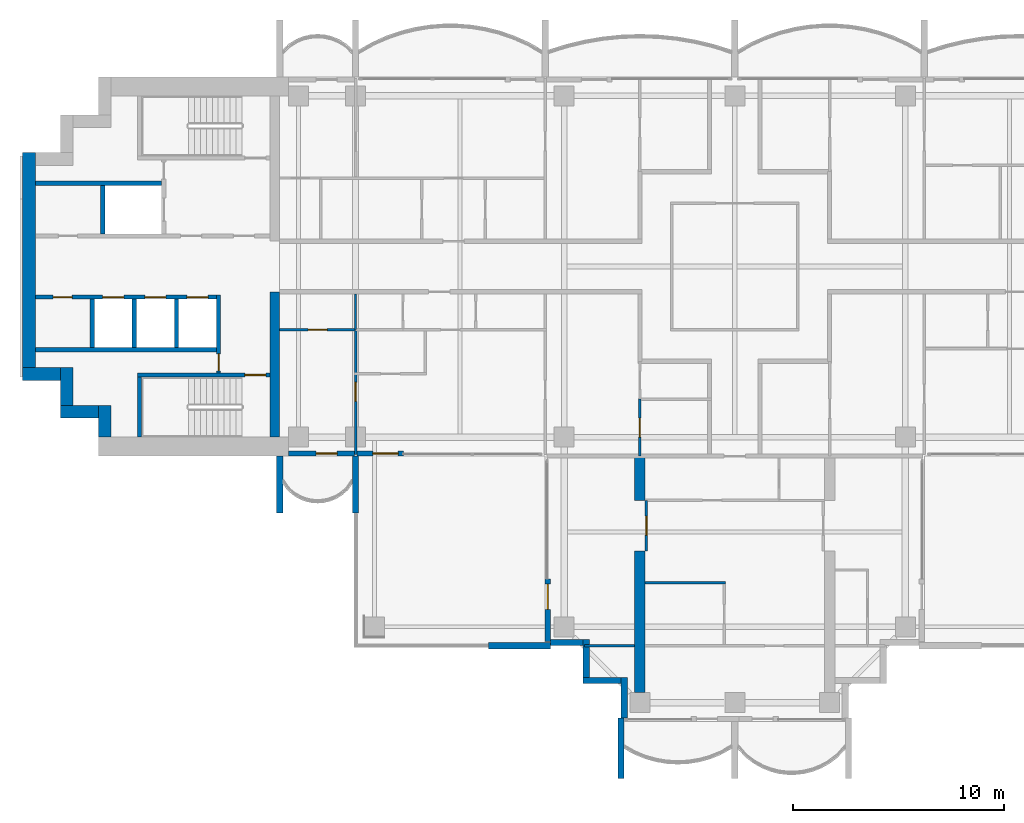
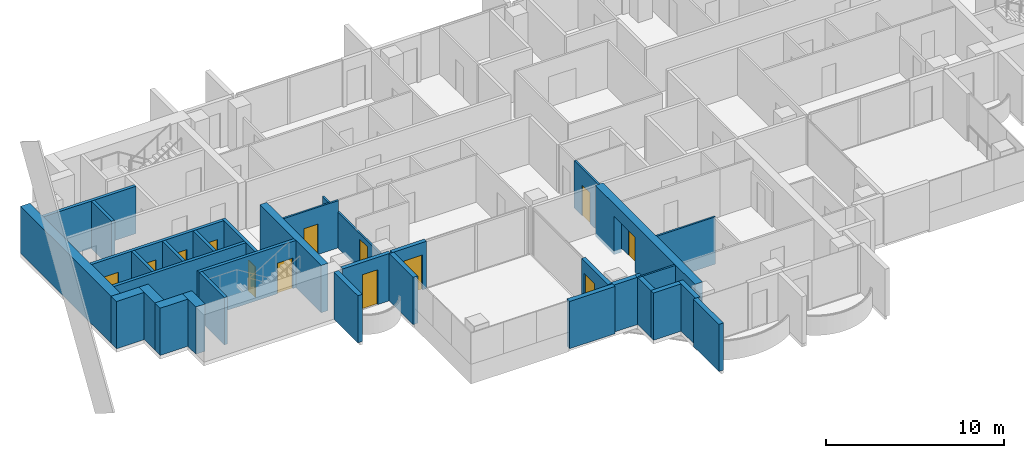
# One storey, part 8 of 17: 35 walls, 13 doors, 13 openings.
"""IFC4 building model written with IfcOpenShell, lengths in metres."""

from ifc_helpers import new_model, si_unit, direction, frame, frame_2d, origin, place, context, subcontext, project, spatial, polyline, rectangle, outline, extrude, material, layer, layer_set, material_profile, profile_set, type_object, element, fill, save


model = new_model("IFC4")

# Units and contexts
model_context = context("Model", 3, precision=1e-05, world=origin(), true_north=direction((0.0, 1.0)))
body_context = subcontext(model_context, "Body", "Model", "MODEL_VIEW")
ifc_project = project(units=[si_unit("LENGTHUNIT", "METRE"), si_unit("AREAUNIT", "SQUARE_METRE"), si_unit("VOLUMEUNIT", "CUBIC_METRE"), si_unit("PLANEANGLEUNIT", "RADIAN"), si_unit("MASSUNIT", "GRAM", prefix="KILO")], contexts=[model_context])

# Site, building, storey
site_placement = place(None, origin())
site = spatial("IfcSite", under=ifc_project, at=site_placement, CompositionType="ELEMENT")
building_placement = place(site_placement, origin())
building = spatial("IfcBuilding", under=site, at=building_placement, Name="Perihelion Cross Residences", CompositionType="ELEMENT")
storey_placement = place(building_placement, frame((0.0, 0.0, 205.10009765625)))
storey = spatial("IfcBuildingStorey", under=building, at=storey_placement, Name="L51", CompositionType="ELEMENT", Elevation=205.10009765625)

# Wall, opening, door
ifc_material_1 = material(Name="Concrete C30/37, bronze-clad", Category="concrete")
ifc_layer_1 = layer(ifc_material_1, 0.25)
ifc_layer_set_1 = layer_set([ifc_layer_1], Name="Bronze-clad pier wall 250")
wall_type_1 = type_object("IfcWallType", Name="Bronze-clad pier wall 250", PredefinedType="SOLIDWALL", material=ifc_layer_set_1)
wall_1_placement = place(storey_placement, frame((-21.175048828125, -8.875, 0.0), z_axis=(0.0, 0.0, 1.0), x_axis=(1.0, 0.0, 0.0)))
wall_1 = element("IfcWall", 1, at=wall_1_placement, inside=storey, type_object=wall_type_1, Name="Wall FW1 L51 west side south bay 1 pier", PredefinedType="SOLIDWALL", context=body_context, shape_type="SweptSolid", body=[
    extrude(rectangle(XDim=3.114990234375, YDim=0.25, at=frame_2d((1.5576171875, 0.0))), origin(), (0.0, 0.0, 1.0), 3.25),
])
opening_1_placement = place(wall_1_placement, frame((1.300048828125, 0.0, 0.0)))
opening_1 = element("IfcOpeningElement", 2, at=opening_1_placement, cuts=wall_1, Name="Opening L51.E07", PredefinedType="OPENING", context=body_context, shape_type="SweptSolid", body=[
    extrude(rectangle(XDim=1.0, YDim=2.39990234375, at=frame_2d((0.5, 1.199951171875))), frame((0.0, 0.135009765625, 0.0), z_axis=(0.0, -1.0, 0.0), x_axis=(1.0, 0.0, 0.0)), (0.0, 0.0, 1.0), 0.27001953125),
])
ifc_material_2 = material(Name="Bronze anodised aluminium, glazed", Category="aluminium")
door_type_1 = type_object("IfcDoorType", Name="Balcony door 1000 x 2400", OperationType="NOTDEFINED", PredefinedType="DOOR", material=ifc_material_2)
door_1_placement = place(opening_1_placement, origin())
door_1 = element("IfcDoor", 3, at=door_1_placement, inside=storey, type_object=door_type_1, Name="Door L51.E07 west side south bay 1", OperationType="SINGLE_SWING_LEFT", OverallHeight=2.39990234375, OverallWidth=1.0, PredefinedType="DOOR", context=body_context, shape_type="SweptSolid", body=[
    extrude(rectangle(XDim=1.0, YDim=2.39990234375, at=frame_2d((0.5, 1.199951171875))), frame((0.0, 0.02490234375, 0.0), z_axis=(0.0, -1.0, 0.0), x_axis=(1.0, 0.0, 0.0)), (0.0, 0.0, 1.0), 0.050048828125),
])
fill(opening_1, door_1)

wall_2_placement = place(storey_placement, frame((-17.93994140625, -8.875, 0.0), z_axis=(0.0, 0.0, 1.0), x_axis=(1.0, 0.0, 0.0)))
wall_2 = element("IfcWall", 4, at=wall_2_placement, inside=storey, type_object=wall_type_1, Name="Wall FW1 L51 west side south bay 2 pier", PredefinedType="SOLIDWALL", context=body_context, shape_type="SweptSolid", body=[
    extrude(rectangle(XDim=2.21484375, YDim=0.25, at=frame_2d((1.107421875, 0.0))), origin(), (0.0, 0.0, 1.0), 3.25),
])
opening_2_placement = place(wall_2_placement, frame((0.764892578125, 0.0, 0.0)))
opening_2 = element("IfcOpeningElement", 5, at=opening_2_placement, cuts=wall_2, Name="Opening L51.E08", PredefinedType="OPENING", context=body_context, shape_type="SweptSolid", body=[
    extrude(rectangle(XDim=1.199951171875, YDim=2.39990234375, at=frame_2d((0.60009765625, 1.199951171875))), frame((0.0, 0.135009765625, 0.0), z_axis=(0.0, -1.0, 0.0), x_axis=(1.0, 0.0, 0.0)), (0.0, 0.0, 1.0), 0.27001953125),
])
ifc_material_3 = material(Name="Bronze anodised aluminium, glazed", Category="aluminium")
door_type_2 = type_object("IfcDoorType", Name="Balcony door 1200 x 2400", OperationType="NOTDEFINED", PredefinedType="DOOR", material=ifc_material_3)
door_2_placement = place(opening_2_placement, origin())
door_2 = element("IfcDoor", 6, at=door_2_placement, inside=storey, type_object=door_type_2, Name="Door L51.E08 west side south bay 2", OperationType="SINGLE_SWING_RIGHT", OverallHeight=2.39990234375, OverallWidth=1.199951171875, PredefinedType="DOOR", context=body_context, shape_type="SweptSolid", body=[
    extrude(rectangle(XDim=1.199951171875, YDim=2.39990234375, at=frame_2d((0.60009765625, 1.199951171875))), frame((0.0, 0.02490234375, 0.0), z_axis=(0.0, -1.0, 0.0), x_axis=(1.0, 0.0, 0.0)), (0.0, 0.0, 1.0), 0.050048828125),
])
fill(opening_2, door_2)

wall_3_placement = place(storey_placement, frame((-8.875, -14.824951171875, 0.0), z_axis=(0.0, 0.0, 1.0), x_axis=(0.0, -1.0, 0.0)))
wall_3 = element("IfcWall", 7, at=wall_3_placement, inside=storey, type_object=wall_type_1, Name="Wall FW1 L51 south side west bay 1 pier", PredefinedType="SOLIDWALL", context=body_context, shape_type="SweptSolid", body=[
    extrude(rectangle(XDim=2.97509765625, YDim=0.25, at=frame_2d((1.487548828125, 0.0))), origin(), (0.0, 0.0, 1.0), 3.25),
])
opening_3_placement = place(wall_3_placement, frame((0.25, 0.0, 0.0)))
opening_3 = element("IfcOpeningElement", 8, at=opening_3_placement, cuts=wall_3, Name="Opening L51.E09", PredefinedType="OPENING", context=body_context, shape_type="SweptSolid", body=[
    extrude(rectangle(XDim=1.199951171875, YDim=2.39990234375, at=frame_2d((0.60009765625, 1.199951171875))), frame((0.0, 0.135009765625, 0.0), z_axis=(0.0, -1.0, 0.0), x_axis=(1.0, 0.0, 0.0)), (0.0, 0.0, 1.0), 0.27001953125),
])
door_3_placement = place(opening_3_placement, origin())
door_3 = element("IfcDoor", 9, at=door_3_placement, inside=storey, type_object=door_type_2, Name="Door L51.E09 south side west bay 1", OperationType="SINGLE_SWING_LEFT", OverallHeight=2.39990234375, OverallWidth=1.199951171875, PredefinedType="DOOR", context=body_context, shape_type="SweptSolid", body=[
    extrude(rectangle(XDim=1.199951171875, YDim=2.39990234375, at=frame_2d((0.60009765625, 1.199951171875))), frame((0.0, 0.02490234375, 0.0), z_axis=(0.0, -1.0, 0.0), x_axis=(1.0, 0.0, 0.0)), (0.0, 0.0, 1.0), 0.050048828125),
])
fill(opening_3, door_3)

# Walls
ifc_material_4 = material(Name="Concrete C30/37, bronze-clad", Category="concrete")
ifc_layer_2 = layer(ifc_material_4, 0.300048828125)
ifc_layer_set_2 = layer_set([ifc_layer_2], Name="Bronze-clad serration wall 300")
wall_type_2 = type_object("IfcWallType", Name="Bronze-clad serration wall 300", PredefinedType="SOLIDWALL", material=ifc_layer_set_2)
wall_4_placement = place(storey_placement, frame((-8.75, -17.85009765625, 0.0), z_axis=(0.0, 0.0, 1.0), x_axis=(1.0, 0.0, 0.0)))
element("IfcWall", 10, at=wall_4_placement, inside=storey, type_object=wall_type_2, Name="Wall SR1 L51 south corner south-west 1", PredefinedType="SOLIDWALL", context=body_context, shape_type="SweptSolid", body=[
    extrude(rectangle(XDim=1.550048828125, YDim=0.300048828125, at=frame_2d((0.77490234375, 0.0))), origin(), (0.0, 0.0, 1.0), 3.25),
])
for number, where, z_axis, x_axis, name in (
    (11, (-7.050048828125, -17.699951171875, 0.0), (0.0, 0.0, 1.0), (0.0, -1.0, 0.0), "Wall SR1 L51 south corner south-west 2"),
    (12, (-7.199951171875, -19.64990234375, 0.0), (0.0, 0.0, 1.0), (1.0, 0.0, 0.0), "Wall SR1 L51 south corner south-west 3"),
):
    element("IfcWall", number, at=place(storey_placement, frame(where, z_axis=z_axis, x_axis=x_axis)), inside=storey, type_object=wall_type_2, Name=name, PredefinedType="SOLIDWALL", context=body_context, shape_type="SweptSolid", body=[
        extrude(rectangle(XDim=1.800048828125, YDim=0.300048828125, at=frame_2d((0.89990234375, 0.0))), origin(), (0.0, 0.0, 1.0), 3.25),
    ])
wall_5_placement = place(storey_placement, frame((-5.25, -19.5, 0.0), z_axis=(0.0, 0.0, 1.0), x_axis=(0.0, -1.0, 0.0)))
element("IfcWall", 13, at=wall_5_placement, inside=storey, type_object=wall_type_2, Name="Wall SR1 L51 south corner south-west 4", PredefinedType="SOLIDWALL", context=body_context, shape_type="SweptSolid", body=[
    extrude(rectangle(XDim=1.919921875, YDim=0.300048828125, at=frame_2d((0.9599609375, 0.0))), origin(), (0.0, 0.0, 1.0), 3.25),
])
ifc_material_5 = material(Name="Concrete C60/75", Category="concrete")
ifc_layer_3 = layer(ifc_material_5, 0.449951171875)
ifc_layer_set_3 = layer_set([ifc_layer_3], Name="Core wall, inner 450")
wall_type_3 = type_object("IfcWallType", Name="Core wall, inner 450", PredefinedType="SHEAR", material=ifc_layer_set_3)
wall_6_placement = place(storey_placement, frame((-21.824951171875, -8.10009765625, 0.0), z_axis=(0.0, 0.0, 1.0), x_axis=(0.0, 1.0, 0.0)))
element("IfcWall", 14, at=wall_6_placement, inside=storey, type_object=wall_type_3, Name="West core core wall, inner", PredefinedType="SHEAR", context=body_context, shape_type="SweptSolid", body=[
    extrude(rectangle(XDim=6.900146484375, YDim=0.449951171875, at=frame_2d((3.4501953125, 0.0))), origin(), (0.0, 0.0, 1.0), 3.25),
])
ifc_material_6 = material(Name="Concrete C60/75", Category="concrete")
ifc_layer_4 = layer(ifc_material_6, 0.60009765625)
ifc_layer_set_4 = layer_set([ifc_layer_4], Name="Core wall, outer 600")
wall_type_4 = type_object("IfcWallType", Name="Core wall, outer 600", PredefinedType="SHEAR", material=ifc_layer_set_4)
wall_7_placement = place(storey_placement, frame((-29.89990234375, -8.10009765625, 0.0), z_axis=(0.0, 0.0, 1.0), x_axis=(0.0, 1.0, 0.0)))
element("IfcWall", 15, at=wall_7_placement, inside=storey, type_object=wall_type_4, Name="West core core wall, outer", PredefinedType="SHEAR", context=body_context, shape_type="SweptSolid", body=[
    extrude(rectangle(XDim=1.5, YDim=0.60009765625, at=frame_2d((0.75, 0.0))), origin(), (0.0, 0.0, 1.0), 3.25),
])
for number, where, z_axis, x_axis, name in (
    (16, (-32.0, -6.89990234375, 0.0), (0.0, 0.0, 1.0), (1.0, 0.0, 0.0), "West core core wall, outer"),
    (17, (-31.699951171875, -6.60009765625, 0.0), (0.0, 0.0, 1.0), (0.0, 1.0, 0.0), "West core core wall, outer"),
    (18, (-33.800048828125, -5.10009765625, 0.0), (0.0, 0.0, 1.0), (1.0, 0.0, 0.0), "West core core wall, outer"),
):
    element("IfcWall", number, at=place(storey_placement, frame(where, z_axis=z_axis, x_axis=x_axis)), inside=storey, type_object=wall_type_4, Name=name, PredefinedType="SHEAR", context=body_context, shape_type="SweptSolid", body=[
        extrude(rectangle(XDim=1.800048828125, YDim=0.60009765625, at=frame_2d((0.89990234375, 0.0))), origin(), (0.0, 0.0, 1.0), 3.25),
    ])
wall_8_placement = place(storey_placement, frame((-33.5, -4.800048828125, 0.0), z_axis=(0.0, 0.0, 1.0), x_axis=(0.0, 1.0, 0.0)))
element("IfcWall", 19, at=wall_8_placement, inside=storey, type_object=wall_type_4, Name="West core core wall, outer", PredefinedType="SHEAR", context=body_context, shape_type="SweptSolid", body=[
    extrude(rectangle(XDim=10.199951171875, YDim=0.60009765625, at=frame_2d((5.10009765625, 0.0))), origin(), (0.0, 0.0, 1.0), 3.25),
])

# Wall, opening, door
ifc_material_7 = material(Name="Plasterboard partition")
ifc_layer_5 = layer(ifc_material_7, 0.1201171875)
ifc_layer_set_5 = layer_set([ifc_layer_5], Name="Infill panel 120")
wall_type_5 = type_object("IfcWallType", Name="Infill panel 120", PredefinedType="PARTITIONING", material=ifc_layer_set_5)
wall_9_placement = place(storey_placement, frame((-4.18994140625, -11.10009765625, 0.0), z_axis=(0.0, 0.0, 1.0), x_axis=(0.0, -1.0, 0.0)))
wall_9 = element("IfcWall", 20, at=wall_9_placement, inside=storey, type_object=wall_type_5, Name="Partition L51 WI02", PredefinedType="PARTITIONING", context=body_context, shape_type="SweptSolid", body=[
    extrude(rectangle(XDim=2.39990234375, YDim=0.1201171875, at=frame_2d((1.199951171875, 0.0))), origin(), (0.0, 0.0, 1.0), 2.39990234375),
])
opening_4_placement = place(wall_9_placement, frame((0.75, 0.0, 0.0)))
opening_4 = element("IfcOpeningElement", 21, at=opening_4_placement, cuts=wall_9, Name="Opening L51.A43", PredefinedType="OPENING", context=body_context, shape_type="SweptSolid", body=[
    extrude(rectangle(XDim=0.89990234375, YDim=2.10009765625, at=frame_2d((0.449951171875, 1.050048828125))), frame((0.0, 0.070068359375, 0.0), z_axis=(0.0, -1.0, 0.0), x_axis=(1.0, 0.0, 0.0)), (0.0, 0.0, 1.0), 0.14013671875),
])
ifc_material_8 = material(Name="Timber door leaf", Category="wood")
door_type_3 = type_object("IfcDoorType", Name="Interior room door 900 x 2100", OperationType="SINGLE_SWING_LEFT", PredefinedType="DOOR", material=ifc_material_8)
door_4_placement = place(opening_4_placement, origin())
door_4 = element("IfcDoor", 22, at=door_4_placement, inside=storey, type_object=door_type_3, Name="Door L51.A43", OperationType="SINGLE_SWING_LEFT", OverallHeight=2.10009765625, OverallWidth=0.89990234375, PredefinedType="DOOR", context=body_context, shape_type="SweptSolid", body=[
    extrude(rectangle(XDim=0.89990234375, YDim=2.10009765625, at=frame_2d((0.449951171875, 1.050048828125))), frame((0.0, 0.02490234375, 0.0), z_axis=(0.0, -1.0, 0.0), x_axis=(1.0, 0.0, 0.0)), (0.0, 0.0, 1.0), 0.050048828125),
])
fill(opening_4, door_4)

ifc_material_9 = material(Name="Concrete C50/60", Category="concrete")
ifc_layer_6 = layer(ifc_material_9, 0.199951171875)
ifc_layer_set_6 = layer_set([ifc_layer_6], Name="Lobby wall 200")
wall_type_6 = type_object("IfcWallType", Name="Lobby wall 200", PredefinedType="SOLIDWALL", material=ifc_layer_set_6)
wall_10_placement = place(storey_placement, frame((-24.5, -5.050048828125, 0.0), z_axis=(0.0, 0.0, 1.0), x_axis=(0.0, 1.0, 0.0)))
wall_10 = element("IfcWall", 23, at=wall_10_placement, inside=storey, type_object=wall_type_6, Name="West core lobby wall", PredefinedType="SOLIDWALL", context=body_context, shape_type="SweptSolid", body=[
    extrude(rectangle(XDim=3.699951171875, YDim=0.199951171875, at=frame_2d((1.85009765625, 0.0))), origin(), (0.0, 0.0, 1.0), 3.25),
])
opening_5_placement = place(wall_10_placement, frame((0.10009765625, 0.0, 0.0)))
opening_5 = element("IfcOpeningElement", 24, at=opening_5_placement, cuts=wall_10, Name="Opening L51.C20", PredefinedType="OPENING", context=body_context, shape_type="SweptSolid", body=[
    extrude(rectangle(XDim=0.800048828125, YDim=2.10009765625, at=frame_2d((0.39990234375, 1.050048828125))), frame((0.0, 0.10986328125, 0.0), z_axis=(0.0, -1.0, 0.0), x_axis=(1.0, 0.0, 0.0)), (0.0, 0.0, 1.0), 0.219970703125),
])
ifc_material_10 = material(Name="Steel, powder coated", Category="steel")
door_type_4 = type_object("IfcDoorType", Name="Riser door 800", OperationType="SINGLE_SWING_LEFT", PredefinedType="DOOR", material=ifc_material_10)
door_5_placement = place(opening_5_placement, origin())
door_5 = element("IfcDoor", 25, at=door_5_placement, inside=storey, type_object=door_type_4, Name="West core riser door", OperationType="SINGLE_SWING_LEFT", OverallHeight=2.10009765625, OverallWidth=0.800048828125, PredefinedType="DOOR", context=body_context, shape_type="SweptSolid", body=[
    extrude(rectangle(XDim=0.800048828125, YDim=2.10009765625, at=frame_2d((0.39990234375, 1.050048828125))), frame((0.0, 0.02490234375, 0.0), z_axis=(0.0, -1.0, 0.0), x_axis=(1.0, 0.0, 0.0)), (0.0, 0.0, 1.0), 0.050048828125),
])
fill(opening_5, door_5)

ifc_material_11 = material(Name="Plasterboard partition")
ifc_layer_7 = layer(ifc_material_11, 0.1201171875)
ifc_layer_set_7 = layer_set([ifc_layer_7], Name="Partition wall 120")
wall_type_7 = type_object("IfcWallType", Name="Partition wall 120", PredefinedType="PARTITIONING", material=ifc_layer_set_7)
wall_11_placement = place(storey_placement, frame((-18.0, -3.0, 0.0), z_axis=(0.0, 0.0, 1.0), x_axis=(-1.0, 0.0, 0.0)))
wall_11 = element("IfcWall", 26, at=wall_11_placement, inside=storey, type_object=wall_type_7, Name="Partition L51 W052", PredefinedType="PARTITIONING", context=body_context, shape_type="SweptSolid", body=[
    extrude(rectangle(XDim=3.60009765625, YDim=0.1201171875, at=frame_2d((1.800048828125, 0.0))), origin(), (0.0, 0.0, 1.0), 3.25),
])
opening_6_placement = place(wall_11_placement, frame((1.35009765625, 0.0, 0.0)))
opening_6 = element("IfcOpeningElement", 27, at=opening_6_placement, cuts=wall_11, Name="Opening L51.A29", PredefinedType="OPENING", context=body_context, shape_type="SweptSolid", body=[
    extrude(rectangle(XDim=0.89990234375, YDim=2.10009765625, at=frame_2d((0.449951171875, 1.050048828125))), frame((0.0, 0.070068359375, 0.0), z_axis=(0.0, -1.0, 0.0), x_axis=(1.0, 0.0, 0.0)), (0.0, 0.0, 1.0), 0.14013671875),
])
door_6_placement = place(opening_6_placement, origin())
door_6 = element("IfcDoor", 28, at=door_6_placement, inside=storey, type_object=door_type_3, Name="Door L51.A29", OperationType="SINGLE_SWING_LEFT", OverallHeight=2.10009765625, OverallWidth=0.89990234375, PredefinedType="DOOR", context=body_context, shape_type="SweptSolid", body=[
    extrude(rectangle(XDim=0.89990234375, YDim=2.10009765625, at=frame_2d((0.449951171875, 1.050048828125))), frame((0.0, 0.02490234375, 0.0), z_axis=(0.0, -1.0, 0.0), x_axis=(1.0, 0.0, 0.0)), (0.0, 0.0, 1.0), 0.050048828125),
])
fill(opening_6, door_6)

wall_12_placement = place(storey_placement, frame((-18.0, -8.919921875, 0.0), z_axis=(0.0, 0.0, 1.0), x_axis=(0.0, 1.0, 0.0)))
wall_12 = element("IfcWall", 29, at=wall_12_placement, inside=storey, type_object=wall_type_7, Name="Partition L51 W055", PredefinedType="PARTITIONING", context=body_context, shape_type="SweptSolid", body=[
    extrude(rectangle(XDim=5.919921875, YDim=0.1201171875, at=frame_2d((2.9599609375, 0.0))), origin(), (0.0, 0.0, 1.0), 2.47998046875),
])
opening_7_placement = place(wall_12_placement, frame((2.52001953125, 0.0, 0.0)))
opening_7 = element("IfcOpeningElement", 30, at=opening_7_placement, cuts=wall_12, Name="Opening L51.A23", PredefinedType="OPENING", context=body_context, shape_type="SweptSolid", body=[
    extrude(rectangle(XDim=0.89990234375, YDim=2.10009765625, at=frame_2d((0.449951171875, 1.050048828125))), frame((0.0, 0.070068359375, 0.0), z_axis=(0.0, -1.0, 0.0), x_axis=(1.0, 0.0, 0.0)), (0.0, 0.0, 1.0), 0.14013671875),
])
door_7_placement = place(opening_7_placement, origin())
door_7 = element("IfcDoor", 31, at=door_7_placement, inside=storey, type_object=door_type_3, Name="Door L51.A23", OperationType="SINGLE_SWING_RIGHT", OverallHeight=2.10009765625, OverallWidth=0.89990234375, PredefinedType="DOOR", context=body_context, shape_type="SweptSolid", body=[
    extrude(rectangle(XDim=0.89990234375, YDim=2.10009765625, at=frame_2d((0.449951171875, 1.050048828125))), frame((0.0, 0.02490234375, 0.0), z_axis=(0.0, -1.0, 0.0), x_axis=(1.0, 0.0, 0.0)), (0.0, 0.0, 1.0), 0.050048828125),
])
fill(opening_7, door_7)

wall_13_placement = place(storey_placement, frame((-4.5, -6.300048828125, 0.0), z_axis=(0.0, 0.0, 1.0), x_axis=(0.0, -1.0, 0.0)))
wall_13 = element("IfcWall", 32, at=wall_13_placement, inside=storey, type_object=wall_type_7, Name="Partition L51 W057", PredefinedType="PARTITIONING", context=body_context, shape_type="SweptSolid", body=[
    extrude(rectangle(XDim=2.699951171875, YDim=0.1201171875, at=frame_2d((1.35009765625, 0.0))), origin(), (0.0, 0.0, 1.0), 3.25),
])
opening_8_placement = place(wall_13_placement, frame((0.89990234375, 0.0, 0.0)))
opening_8 = element("IfcOpeningElement", 33, at=opening_8_placement, cuts=wall_13, Name="Opening L51.A28", PredefinedType="OPENING", context=body_context, shape_type="SweptSolid", body=[
    extrude(rectangle(XDim=0.89990234375, YDim=2.10009765625, at=frame_2d((0.449951171875, 1.050048828125))), frame((0.0, 0.070068359375, 0.0), z_axis=(0.0, -1.0, 0.0), x_axis=(1.0, 0.0, 0.0)), (0.0, 0.0, 1.0), 0.14013671875),
])
door_8_placement = place(opening_8_placement, origin())
door_8 = element("IfcDoor", 34, at=door_8_placement, inside=storey, type_object=door_type_3, Name="Door L51.A28", OperationType="SINGLE_SWING_LEFT", OverallHeight=2.10009765625, OverallWidth=0.89990234375, PredefinedType="DOOR", context=body_context, shape_type="SweptSolid", body=[
    extrude(rectangle(XDim=0.89990234375, YDim=2.10009765625, at=frame_2d((0.449951171875, 1.050048828125))), frame((0.0, 0.02490234375, 0.0), z_axis=(0.0, -1.0, 0.0), x_axis=(1.0, 0.0, 0.0)), (0.0, 0.0, 1.0), 0.050048828125),
])
fill(opening_8, door_8)

# Walls
wall_14_placement = place(storey_placement, frame((-0.43994140625, -15.0, 0.0), z_axis=(0.0, 0.0, 1.0), x_axis=(-1.0, 0.0, 0.0)))
element("IfcWall", 35, at=wall_14_placement, inside=storey, type_object=wall_type_7, Name="Partition L51 W063", PredefinedType="PARTITIONING", context=body_context, shape_type="SweptSolid", body=[
    extrude(rectangle(XDim=3.81005859375, YDim=0.1201171875, at=frame_2d((1.905029296875, 0.0))), origin(), (0.0, 0.0, 1.0), 3.25),
])
wall_15_placement = place(storey_placement, frame((-4.75, -18.0, 0.0), z_axis=(0.0, 0.0, 1.0), x_axis=(-1.0, 0.0, 0.0)))
element("IfcWall", 36, at=wall_15_placement, inside=storey, type_object=wall_type_7, Name="Partition L51 W069", PredefinedType="PARTITIONING", context=body_context, shape_type="SweptSolid", body=[
    extrude(rectangle(XDim=2.3701171875, YDim=0.1201171875, at=frame_2d((1.18505859375, 0.0))), origin(), (0.0, 0.0, 1.0), 3.25),
])
ifc_material_12 = material(Name="Precast concrete C50/60", Category="concrete")
ifc_layer_8 = layer(ifc_material_12, 0.300048828125)
ifc_layer_set_8 = layer_set([ifc_layer_8], Name="Precast concrete C50/60 blade wall 300")
wall_type_8 = type_object("IfcWallType", Name="Precast concrete C50/60 blade wall 300", PredefinedType="SOLIDWALL", material=ifc_layer_set_8)
for number, where, z_axis, x_axis, name in (
    (37, (-21.60009765625, -9.0, 0.0), (0.0, 0.0, 1.0), (0.0, -1.0, 0.0), "Wall BL1 L51 no. 3"),
    (38, (-18.0, -9.0, 0.0), (0.0, 0.0, 1.0), (0.0, -1.0, 0.0), "Wall BL1 L51 no. 1"),
):
    element("IfcWall", number, at=place(storey_placement, frame(where, z_axis=z_axis, x_axis=x_axis)), inside=storey, type_object=wall_type_8, Name=name, PredefinedType="SOLIDWALL", context=body_context, shape_type="SweptSolid", body=[
        extrude(rectangle(XDim=2.699951171875, YDim=0.300048828125, at=frame_2d((1.35009765625, 0.0))), origin(), (0.0, 0.0, 1.0), 3.25),
    ])
wall_16_placement = place(storey_placement, frame((-8.75, -18.0, 0.0), z_axis=(0.0, 0.0, 1.0), x_axis=(-1.0, 0.0, 0.0)))
element("IfcWall", 39, at=wall_16_placement, inside=storey, type_object=wall_type_8, Name="Wall BL1 L51 no. 6", PredefinedType="SOLIDWALL", context=body_context, shape_type="SweptSolid", body=[
    extrude(rectangle(XDim=2.949951171875, YDim=0.300048828125, at=frame_2d((1.47509765625, 0.0))), origin(), (0.0, 0.0, 1.0), 3.25),
])
wall_17_placement = place(storey_placement, frame((-5.39990234375, -21.419921875, 0.0), z_axis=(0.0, 0.0, 1.0), x_axis=(0.0, -1.0, 0.0)))
element("IfcWall", 40, at=wall_17_placement, inside=storey, type_object=wall_type_8, Name="Wall BL1 L51 no. 5", PredefinedType="SOLIDWALL", context=body_context, shape_type="SweptSolid", body=[
    extrude(rectangle(XDim=2.880126953125, YDim=0.300048828125, at=frame_2d((1.43994140625, 0.0))), origin(), (0.0, 0.0, 1.0), 3.25),
])

# Wall, openings, doors
ifc_material_13 = material(Name="Concrete C50/60", Category="concrete")
ifc_layer_9 = layer(ifc_material_13, 0.199951171875)
ifc_layer_set_9 = layer_set([ifc_layer_9], Name="Shaft wall 200")
wall_type_9 = type_object("IfcWallType", Name="Shaft wall 200", PredefinedType="SOLIDWALL", material=ifc_layer_set_9)
wall_18_placement = place(storey_placement, frame((-33.199951171875, -1.449951171875, 0.0), z_axis=(0.0, 0.0, 1.0), x_axis=(1.0, 0.0, 0.0)))
wall_18 = element("IfcWall", 41, at=wall_18_placement, inside=storey, type_object=wall_type_9, Name="West core shaft wall", PredefinedType="SOLIDWALL", context=body_context, shape_type="SweptSolid", body=[
    extrude(rectangle(XDim=8.599853515625, YDim=0.199951171875, at=frame_2d((4.2998046875, 0.0))), origin(), (0.0, 0.0, 1.0), 3.25),
])
opening_9_placement = place(wall_18_placement, frame((7.199951171875, 0.0, 0.0)))
opening_9 = element("IfcOpeningElement", 42, at=opening_9_placement, cuts=wall_18, Name="Opening L51.C13", PredefinedType="OPENING", context=body_context, shape_type="SweptSolid", body=[
    extrude(rectangle(XDim=1.0, YDim=2.10009765625, at=frame_2d((0.5, 1.050048828125))), frame((0.0, 0.10986328125, 0.0), z_axis=(0.0, -1.0, 0.0), x_axis=(1.0, 0.0, 0.0)), (0.0, 0.0, 1.0), 0.219970703125),
])
opening_10_placement = place(wall_18_placement, frame((5.199951171875, 0.0, 0.0)))
opening_10 = element("IfcOpeningElement", 43, at=opening_10_placement, cuts=wall_18, Name="Opening L51.C15", PredefinedType="OPENING", context=body_context, shape_type="SweptSolid", body=[
    extrude(rectangle(XDim=1.0, YDim=2.10009765625, at=frame_2d((0.5, 1.050048828125))), frame((0.0, 0.10986328125, 0.0), z_axis=(0.0, -1.0, 0.0), x_axis=(1.0, 0.0, 0.0)), (0.0, 0.0, 1.0), 0.219970703125),
])
opening_11_placement = place(wall_18_placement, frame((3.199951171875, 0.0, 0.0)))
opening_11 = element("IfcOpeningElement", 44, at=opening_11_placement, cuts=wall_18, Name="Opening L51.C16", PredefinedType="OPENING", context=body_context, shape_type="SweptSolid", body=[
    extrude(rectangle(XDim=1.0, YDim=2.10009765625, at=frame_2d((0.5, 1.050048828125))), frame((0.0, 0.10986328125, 0.0), z_axis=(0.0, -1.0, 0.0), x_axis=(1.0, 0.0, 0.0)), (0.0, 0.0, 1.0), 0.219970703125),
])
opening_12_placement = place(wall_18_placement, frame((0.85009765625, 0.0, 0.0)))
opening_12 = element("IfcOpeningElement", 45, at=opening_12_placement, cuts=wall_18, Name="Opening L51.C24", PredefinedType="OPENING", context=body_context, shape_type="SweptSolid", body=[
    extrude(rectangle(XDim=0.89990234375, YDim=2.10009765625, at=frame_2d((0.449951171875, 1.050048828125))), frame((0.0, 0.10986328125, 0.0), z_axis=(0.0, -1.0, 0.0), x_axis=(1.0, 0.0, 0.0)), (0.0, 0.0, 1.0), 0.219970703125),
])
ifc_material_14 = material(Name="Stainless steel", Category="steel")
door_type_5 = type_object("IfcDoorType", Name="Landing door 1000", OperationType="DOUBLE_DOOR_SLIDING", PredefinedType="DOOR", material=ifc_material_14)
door_9_placement = place(opening_9_placement, origin())
door_9 = element("IfcDoor", 46, at=door_9_placement, inside=storey, type_object=door_type_5, Name="Landing door, West core high-rise lift 1", OperationType="DOUBLE_DOOR_SLIDING", OverallHeight=2.10009765625, OverallWidth=1.0, PredefinedType="DOOR", context=body_context, shape_type="SweptSolid", body=[
    extrude(rectangle(XDim=1.0, YDim=2.10009765625, at=frame_2d((0.5, 1.050048828125))), frame((0.0, 0.02490234375, 0.0), z_axis=(0.0, -1.0, 0.0), x_axis=(1.0, 0.0, 0.0)), (0.0, 0.0, 1.0), 0.050048828125),
])
fill(opening_9, door_9)
door_10_placement = place(opening_10_placement, origin())
door_10 = element("IfcDoor", 47, at=door_10_placement, inside=storey, type_object=door_type_5, Name="Landing door, West core high-rise lift 2", OperationType="DOUBLE_DOOR_SLIDING", OverallHeight=2.10009765625, OverallWidth=1.0, PredefinedType="DOOR", context=body_context, shape_type="SweptSolid", body=[
    extrude(rectangle(XDim=1.0, YDim=2.10009765625, at=frame_2d((0.5, 1.050048828125))), frame((0.0, 0.02490234375, 0.0), z_axis=(0.0, -1.0, 0.0), x_axis=(1.0, 0.0, 0.0)), (0.0, 0.0, 1.0), 0.050048828125),
])
fill(opening_10, door_10)
door_11_placement = place(opening_11_placement, origin())
door_11 = element("IfcDoor", 48, at=door_11_placement, inside=storey, type_object=door_type_5, Name="Landing door, West core high-rise lift 3", OperationType="DOUBLE_DOOR_SLIDING", OverallHeight=2.10009765625, OverallWidth=1.0, PredefinedType="DOOR", context=body_context, shape_type="SweptSolid", body=[
    extrude(rectangle(XDim=1.0, YDim=2.10009765625, at=frame_2d((0.5, 1.050048828125))), frame((0.0, 0.02490234375, 0.0), z_axis=(0.0, -1.0, 0.0), x_axis=(1.0, 0.0, 0.0)), (0.0, 0.0, 1.0), 0.050048828125),
])
fill(opening_11, door_11)
ifc_material_15 = material(Name="Steel, powder coated", Category="steel")
door_type_6 = type_object("IfcDoorType", Name="Service room door 900", OperationType="SINGLE_SWING_LEFT", PredefinedType="DOOR", material=ifc_material_15)
door_12_placement = place(opening_12_placement, origin())
door_12 = element("IfcDoor", 49, at=door_12_placement, inside=storey, type_object=door_type_6, Name="West core service room door", OperationType="SINGLE_SWING_LEFT", OverallHeight=2.10009765625, OverallWidth=0.89990234375, PredefinedType="DOOR", context=body_context, shape_type="SweptSolid", body=[
    extrude(rectangle(XDim=0.89990234375, YDim=2.10009765625, at=frame_2d((0.449951171875, 1.050048828125))), frame((0.0, 0.02490234375, 0.0), z_axis=(0.0, -1.0, 0.0), x_axis=(1.0, 0.0, 0.0)), (0.0, 0.0, 1.0), 0.050048828125),
])
fill(opening_12, door_12)

# Walls
wall_19_placement = place(storey_placement, frame((-33.199951171875, 3.949951171875, 0.0), z_axis=(0.0, 0.0, 1.0), x_axis=(1.0, 0.0, 0.0)))
element("IfcWall", 50, at=wall_19_placement, inside=storey, type_object=wall_type_9, Name="West core shaft wall", PredefinedType="SOLIDWALL", context=body_context, shape_type="SweptSolid", body=[
    extrude(rectangle(XDim=6.0, YDim=0.199951171875, at=frame_2d((3.0, 0.0))), origin(), (0.0, 0.0, 1.0), 3.25),
])
wall_20_placement = place(storey_placement, frame((-33.199951171875, -3.949951171875, 0.0), z_axis=(0.0, 0.0, 1.0), x_axis=(1.0, 0.0, 0.0)))
element("IfcWall", 51, at=wall_20_placement, inside=storey, type_object=wall_type_9, Name="West core shaft wall", PredefinedType="SOLIDWALL", context=body_context, shape_type="SweptSolid", body=[
    extrude(rectangle(XDim=8.599853515625, YDim=0.199951171875, at=frame_2d((4.2998046875, 0.0))), origin(), (0.0, 0.0, 1.0), 3.25),
])
for number, where, z_axis, x_axis, name in (
    (52, (-30.0, 1.550048828125, 0.0), (0.0, 0.0, 1.0), (0.0, 1.0, 0.0), "West core shaft wall"),
    (53, (-26.5, -3.85009765625, 0.0), (0.0, 0.0, 1.0), (0.0, 1.0, 0.0), "West core shaft wall"),
    (54, (-28.5, -3.85009765625, 0.0), (0.0, 0.0, 1.0), (0.0, 1.0, 0.0), "West core shaft wall"),
    (55, (-30.5, -3.85009765625, 0.0), (0.0, 0.0, 1.0), (0.0, 1.0, 0.0), "West core shaft wall"),
):
    element("IfcWall", number, at=place(storey_placement, frame(where, z_axis=z_axis, x_axis=x_axis)), inside=storey, type_object=wall_type_9, Name=name, PredefinedType="SOLIDWALL", context=body_context, shape_type="SweptSolid", body=[
        extrude(rectangle(XDim=2.300048828125, YDim=0.199951171875, at=frame_2d((1.14990234375, 0.0))), origin(), (0.0, 0.0, 1.0), 3.25),
    ])

# Wall, opening, door
ifc_material_16 = material(Name="Concrete C50/60", Category="concrete")
ifc_layer_10 = layer(ifc_material_16, 0.199951171875)
ifc_layer_set_10 = layer_set([ifc_layer_10], Name="Stair wall 200")
wall_type_10 = type_object("IfcWallType", Name="Stair wall 200", PredefinedType="SOLIDWALL", material=ifc_layer_set_10)
wall_21_placement = place(storey_placement, frame((-28.35009765625, -5.14990234375, 0.0), z_axis=(0.0, 0.0, 1.0), x_axis=(1.0, 0.0, 0.0)))
wall_21 = element("IfcWall", 56, at=wall_21_placement, inside=storey, type_object=wall_type_10, Name="West core stair wall", PredefinedType="SOLIDWALL", context=body_context, shape_type="SweptSolid", body=[
    extrude(rectangle(XDim=6.300048828125, YDim=0.199951171875, at=frame_2d((3.14990234375, 0.0))), origin(), (0.0, 0.0, 1.0), 3.25),
])
opening_13_placement = place(wall_21_placement, frame((5.10009765625, 0.0, 0.0)))
opening_13 = element("IfcOpeningElement", 57, at=opening_13_placement, cuts=wall_21, Name="Opening L51.C17", PredefinedType="OPENING", context=body_context, shape_type="SweptSolid", body=[
    extrude(rectangle(XDim=1.0, YDim=2.10009765625, at=frame_2d((0.5, 1.050048828125))), frame((0.0, 0.10986328125, 0.0), z_axis=(0.0, -1.0, 0.0), x_axis=(1.0, 0.0, 0.0)), (0.0, 0.0, 1.0), 0.219970703125),
])
ifc_material_17 = material(Name="Steel, powder coated", Category="steel")
door_type_7 = type_object("IfcDoorType", Name="Stair door 1000", OperationType="SINGLE_SWING_LEFT", PredefinedType="DOOR", material=ifc_material_17)
door_13_placement = place(opening_13_placement, origin())
door_13 = element("IfcDoor", 58, at=door_13_placement, inside=storey, type_object=door_type_7, Name="West core stair door", OperationType="SINGLE_SWING_LEFT", OverallHeight=2.10009765625, OverallWidth=1.0, PredefinedType="DOOR", context=body_context, shape_type="SweptSolid", body=[
    extrude(rectangle(XDim=1.0, YDim=2.10009765625, at=frame_2d((0.5, 1.050048828125))), frame((0.0, 0.02490234375, 0.0), z_axis=(0.0, -1.0, 0.0), x_axis=(1.0, 0.0, 0.0)), (0.0, 0.0, 1.0), 0.050048828125),
])
fill(opening_13, door_13)

# Walls
wall_22_placement = place(storey_placement, frame((-28.25, -8.10009765625, 0.0), z_axis=(0.0, 0.0, 1.0), x_axis=(0.0, 1.0, 0.0)))
element("IfcWall", 59, at=wall_22_placement, inside=storey, type_object=wall_type_10, Name="West core stair wall", PredefinedType="SOLIDWALL", context=body_context, shape_type="SweptSolid", body=[
    extrude(rectangle(XDim=2.85009765625, YDim=0.199951171875, at=frame_2d((1.425048828125, 0.0))), origin(), (0.0, 0.0, 1.0), 3.25),
])
ifc_material_18 = material(Name="Concrete C60/75", Category="concrete")
ifc_material_profile = material_profile(ifc_material_18, outline(polyline([(0.0, 0.0), (6.72509765625, 0.0), (6.72509765625, 2.64990234375), (9.125, 2.64990234375), (9.125, 0.0), (11.22509765625, 0.0), (11.22509765625, 3.5), (0.0, 3.5), (0.0, 0.0)])), Name="Tip spine wall")
ifc_profile_set = profile_set([ifc_material_profile], Name="Concrete C60/75")
wall_type_11 = type_object("IfcWallType", Name="Tip spine wall 500 with 1 door openings 11225 long 3500 high concrete C60/75", PredefinedType="SHEAR", material=ifc_profile_set)
wall_23_placement = place(storey_placement, frame((-4.75, -20.22509765625, -0.25), z_axis=(1.0, 0.0, 0.0), x_axis=(0.0, 1.0, 0.0)))
element("IfcWall", 60, at=wall_23_placement, inside=storey, type_object=wall_type_11, Name="Shear wall SW41 L51 south west", PredefinedType="SHEAR", context=body_context, shape_type="SweptSolid", body=[
    extrude(outline(polyline([(0.0, 0.0), (6.72509765625, 0.0), (6.72509765625, 2.64990234375), (9.125, 2.64990234375), (9.125, 0.0), (11.22509765625, 0.0), (11.22509765625, 3.5), (0.0, 3.5), (0.0, 0.0)])), origin(), (0.0, 0.0, 1.0), 0.5),
])
ifc_material_19 = material(Name="Plasterboard partition")
ifc_layer_11 = layer(ifc_material_19, 0.10009765625)
ifc_layer_set_11 = layer_set([ifc_layer_11], Name="Wet room wall 100")
wall_type_12 = type_object("IfcWallType", Name="Wet room wall 100", PredefinedType="PARTITIONING", material=ifc_layer_set_11)
wall_24_placement = place(storey_placement, frame((-18.0, -3.0, 0.0), z_axis=(0.0, 0.0, 1.0), x_axis=(0.0, 1.0, 0.0)))
element("IfcWall", 61, at=wall_24_placement, inside=storey, type_object=wall_type_12, Name="Partition L51 W050", PredefinedType="PARTITIONING", context=body_context, shape_type="SweptSolid", body=[
    extrude(rectangle(XDim=1.699951171875, YDim=0.10009765625, at=frame_2d((0.85009765625, 0.0))), origin(), (0.0, 0.0, 1.0), 2.47998046875),
])

save(model, "model.ifc")
